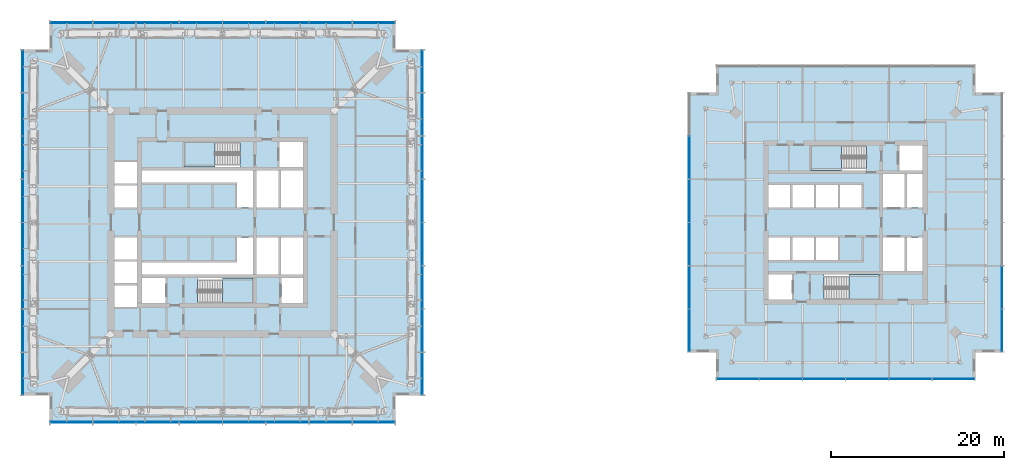
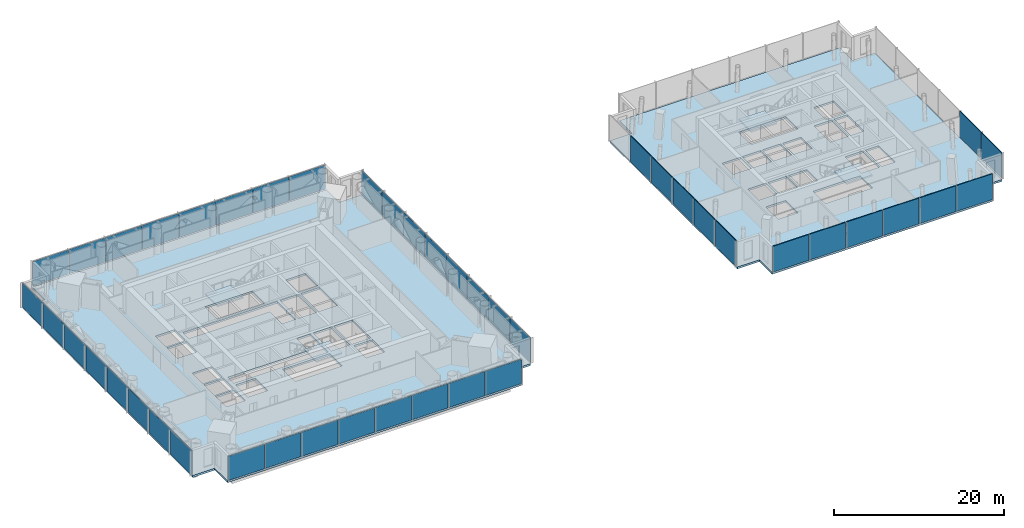
# One storey, part 8 of 18: 45 plates, 6 slabs, 11 elements without a shape of their own.
"""IFC4 building model written with IfcOpenShell, lengths in metres."""

from ifc_helpers import new_model, si_unit, direction, frame, origin, origin_2d, place, context, subcontext, project, spatial, polyline, rectangle, outline, extrude, material, layer, layer_set, type_object, element, aggregate, save


model = new_model("IFC4")

# Units and contexts
model_context = context("Model", 3, precision=1e-05, world=origin(), true_north=direction((0.0, 1.0)))
body_context = subcontext(model_context, "Body", "Model", "MODEL_VIEW")
ifc_project = project(units=[si_unit("LENGTHUNIT", "METRE"), si_unit("AREAUNIT", "SQUARE_METRE"), si_unit("VOLUMEUNIT", "CUBIC_METRE"), si_unit("PLANEANGLEUNIT", "RADIAN"), si_unit("MASSUNIT", "GRAM", prefix="KILO")], contexts=[model_context])

# Site, building, storey
site_placement = place(None, origin())
site = spatial("IfcSite", under=ifc_project, at=site_placement, CompositionType="ELEMENT")
building_placement = place(site_placement, origin())
building = spatial("IfcBuilding", under=site, at=building_placement, Name="Ostroluk Exchange", CompositionType="ELEMENT")
storey_placement = place(building_placement, frame((0.0, 0.0, 85.60009765625)))
storey = spatial("IfcBuildingStorey", under=building, at=storey_placement, Name="L21", CompositionType="ELEMENT", Elevation=85.60009765625)

# Curtain wall, plates
ifc_material_1 = material(Name="Laminated clear glass", Category="glass")
curtain_wall_type_1 = type_object("IfcCurtainWallType", Name="Office tower plant and sky lobby facade", PredefinedType="USERDEFINED", material=ifc_material_1)
curtain_wall_1_placement = place(storey_placement, origin())
curtain_wall_1 = element("IfcCurtainWall", 1, at=curtain_wall_1_placement, inside=storey, type_object=curtain_wall_type_1, Name="Office tower south facade L21", ObjectType="LOUVRED CURTAIN WALL", PredefinedType="USERDEFINED")
ifc_material_2 = material(Name="Aluminium louvre", Category="aluminium")
ifc_layer_1 = layer(ifc_material_2, 0.10009765625)
ifc_layer_set_1 = layer_set([ifc_layer_1], Name="Aluminium louvre panel 100")
plate_type = type_object("IfcPlateType", Name="Aluminium louvre panel 100", PredefinedType="USERDEFINED", material=ifc_layer_set_1)
plate_1_placement = place(storey_placement, frame((27.52001953125, 22.925048828125, 0.080078125), z_axis=(0.0, 0.0, 1.0), x_axis=(1.0, 0.0, 0.0)))
plate_1 = element("IfcPlate", 2, at=plate_1_placement, type_object=plate_type, Name="CW-P1 panel 1.1", ObjectType="LOUVRE PANEL", PredefinedType="USERDEFINED", context=body_context, shape_type="SweptSolid", body=[
    extrude(rectangle(XDim=4.8798828125, YDim=0.10009765625, at=origin_2d()), origin(), (0.0, 0.0, 1.0), 3.489990234375),
])
plate_2_placement = place(storey_placement, frame((32.5, 22.925048828125, 0.080078125), z_axis=(0.0, 0.0, 1.0), x_axis=(1.0, 0.0, 0.0)))
plate_2 = element("IfcPlate", 3, at=plate_2_placement, type_object=plate_type, Name="CW-P1 panel 2.1", ObjectType="LOUVRE PANEL", PredefinedType="USERDEFINED", context=body_context, shape_type="SweptSolid", body=[
    extrude(rectangle(XDim=4.919921875, YDim=0.10009765625, at=origin_2d()), origin(), (0.0, 0.0, 1.0), 3.489990234375),
])
plate_3_placement = place(storey_placement, frame((37.5, 22.925048828125, 0.080078125), z_axis=(0.0, 0.0, 1.0), x_axis=(1.0, 0.0, 0.0)))
plate_3 = element("IfcPlate", 4, at=plate_3_placement, type_object=plate_type, Name="CW-P1 panel 3.1", ObjectType="LOUVRE PANEL", PredefinedType="USERDEFINED", context=body_context, shape_type="SweptSolid", body=[
    extrude(rectangle(XDim=4.919921875, YDim=0.10009765625, at=origin_2d()), origin(), (0.0, 0.0, 1.0), 3.489990234375),
])
plate_4_placement = place(storey_placement, frame((42.5, 22.925048828125, 0.080078125), z_axis=(0.0, 0.0, 1.0), x_axis=(1.0, 0.0, 0.0)))
plate_4 = element("IfcPlate", 5, at=plate_4_placement, type_object=plate_type, Name="CW-P1 panel 4.1", ObjectType="LOUVRE PANEL", PredefinedType="USERDEFINED", context=body_context, shape_type="SweptSolid", body=[
    extrude(rectangle(XDim=4.919921875, YDim=0.10009765625, at=origin_2d()), origin(), (0.0, 0.0, 1.0), 3.489990234375),
])
plate_5_placement = place(storey_placement, frame((47.5, 22.925048828125, 0.080078125), z_axis=(0.0, 0.0, 1.0), x_axis=(1.0, 0.0, 0.0)))
plate_5 = element("IfcPlate", 6, at=plate_5_placement, type_object=plate_type, Name="CW-P1 panel 5.1", ObjectType="LOUVRE PANEL", PredefinedType="USERDEFINED", context=body_context, shape_type="SweptSolid", body=[
    extrude(rectangle(XDim=4.919921875, YDim=0.10009765625, at=origin_2d()), origin(), (0.0, 0.0, 1.0), 3.489990234375),
])
plate_6_placement = place(storey_placement, frame((52.5, 22.925048828125, 0.080078125), z_axis=(0.0, 0.0, 1.0), x_axis=(1.0, 0.0, 0.0)))
plate_6 = element("IfcPlate", 7, at=plate_6_placement, type_object=plate_type, Name="CW-P1 panel 6.1", ObjectType="LOUVRE PANEL", PredefinedType="USERDEFINED", context=body_context, shape_type="SweptSolid", body=[
    extrude(rectangle(XDim=4.919921875, YDim=0.10009765625, at=origin_2d()), origin(), (0.0, 0.0, 1.0), 3.489990234375),
])
plate_7_placement = place(storey_placement, frame((57.5, 22.925048828125, 0.080078125), z_axis=(0.0, 0.0, 1.0), x_axis=(1.0, 0.0, 0.0)))
plate_7 = element("IfcPlate", 8, at=plate_7_placement, type_object=plate_type, Name="CW-P1 panel 7.1", ObjectType="LOUVRE PANEL", PredefinedType="USERDEFINED", context=body_context, shape_type="SweptSolid", body=[
    extrude(rectangle(XDim=4.919921875, YDim=0.10009765625, at=origin_2d()), origin(), (0.0, 0.0, 1.0), 3.489990234375),
])
plate_8_placement = place(storey_placement, frame((62.47998046875, 22.925048828125, 0.080078125), z_axis=(0.0, 0.0, 1.0), x_axis=(1.0, 0.0, 0.0)))
plate_8 = element("IfcPlate", 9, at=plate_8_placement, type_object=plate_type, Name="CW-P1 panel 8.1", ObjectType="LOUVRE PANEL", PredefinedType="USERDEFINED", context=body_context, shape_type="SweptSolid", body=[
    extrude(rectangle(XDim=4.8798828125, YDim=0.10009765625, at=origin_2d()), origin(), (0.0, 0.0, 1.0), 3.489990234375),
])
aggregate(curtain_wall_1, [plate_1, plate_2, plate_3, plate_4, plate_5, plate_6, plate_7, plate_8])

curtain_wall_2_placement = place(storey_placement, origin())
curtain_wall_2 = element("IfcCurtainWall", 10, at=curtain_wall_2_placement, inside=storey, type_object=curtain_wall_type_1, Name="Office tower east facade L21", ObjectType="LOUVRED CURTAIN WALL", PredefinedType="USERDEFINED")
plate_9_placement = place(storey_placement, frame((68.074951171875, 28.52001953125, 0.080078125), z_axis=(0.0, 0.0, 1.0), x_axis=(0.0, 1.0, 0.0)))
plate_9 = element("IfcPlate", 11, at=plate_9_placement, type_object=plate_type, Name="CW-P1 panel 1.1", ObjectType="LOUVRE PANEL", PredefinedType="USERDEFINED", context=body_context, shape_type="SweptSolid", body=[
    extrude(rectangle(XDim=4.8798828125, YDim=0.10009765625, at=origin_2d()), origin(), (0.0, 0.0, 1.0), 3.489990234375),
])
plate_10_placement = place(storey_placement, frame((68.074951171875, 33.5, 0.080078125), z_axis=(0.0, 0.0, 1.0), x_axis=(0.0, 1.0, 0.0)))
plate_10 = element("IfcPlate", 12, at=plate_10_placement, type_object=plate_type, Name="CW-P1 panel 2.1", ObjectType="LOUVRE PANEL", PredefinedType="USERDEFINED", context=body_context, shape_type="SweptSolid", body=[
    extrude(rectangle(XDim=4.919921875, YDim=0.10009765625, at=origin_2d()), origin(), (0.0, 0.0, 1.0), 3.489990234375),
])
plate_11_placement = place(storey_placement, frame((68.074951171875, 38.5, 0.080078125), z_axis=(0.0, 0.0, 1.0), x_axis=(0.0, 1.0, 0.0)))
plate_11 = element("IfcPlate", 13, at=plate_11_placement, type_object=plate_type, Name="CW-P1 panel 3.1", ObjectType="LOUVRE PANEL", PredefinedType="USERDEFINED", context=body_context, shape_type="SweptSolid", body=[
    extrude(rectangle(XDim=4.919921875, YDim=0.10009765625, at=origin_2d()), origin(), (0.0, 0.0, 1.0), 3.489990234375),
])
plate_12_placement = place(storey_placement, frame((68.074951171875, 43.5, 0.080078125), z_axis=(0.0, 0.0, 1.0), x_axis=(0.0, 1.0, 0.0)))
plate_12 = element("IfcPlate", 14, at=plate_12_placement, type_object=plate_type, Name="CW-P1 panel 4.1", ObjectType="LOUVRE PANEL", PredefinedType="USERDEFINED", context=body_context, shape_type="SweptSolid", body=[
    extrude(rectangle(XDim=4.919921875, YDim=0.10009765625, at=origin_2d()), origin(), (0.0, 0.0, 1.0), 3.489990234375),
])
plate_13_placement = place(storey_placement, frame((68.074951171875, 48.5, 0.080078125), z_axis=(0.0, 0.0, 1.0), x_axis=(0.0, 1.0, 0.0)))
plate_13 = element("IfcPlate", 15, at=plate_13_placement, type_object=plate_type, Name="CW-P1 panel 5.1", ObjectType="LOUVRE PANEL", PredefinedType="USERDEFINED", context=body_context, shape_type="SweptSolid", body=[
    extrude(rectangle(XDim=4.919921875, YDim=0.10009765625, at=origin_2d()), origin(), (0.0, 0.0, 1.0), 3.489990234375),
])
plate_14_placement = place(storey_placement, frame((68.074951171875, 53.5, 0.080078125), z_axis=(0.0, 0.0, 1.0), x_axis=(0.0, 1.0, 0.0)))
plate_14 = element("IfcPlate", 16, at=plate_14_placement, type_object=plate_type, Name="CW-P1 panel 6.1", ObjectType="LOUVRE PANEL", PredefinedType="USERDEFINED", context=body_context, shape_type="SweptSolid", body=[
    extrude(rectangle(XDim=4.919921875, YDim=0.10009765625, at=origin_2d()), origin(), (0.0, 0.0, 1.0), 3.489990234375),
])
plate_15_placement = place(storey_placement, frame((68.074951171875, 58.5, 0.080078125), z_axis=(0.0, 0.0, 1.0), x_axis=(0.0, 1.0, 0.0)))
plate_15 = element("IfcPlate", 17, at=plate_15_placement, type_object=plate_type, Name="CW-P1 panel 7.1", ObjectType="LOUVRE PANEL", PredefinedType="USERDEFINED", context=body_context, shape_type="SweptSolid", body=[
    extrude(rectangle(XDim=4.919921875, YDim=0.10009765625, at=origin_2d()), origin(), (0.0, 0.0, 1.0), 3.489990234375),
])
plate_16_placement = place(storey_placement, frame((68.074951171875, 63.47998046875, 0.080078125), z_axis=(0.0, 0.0, 1.0), x_axis=(0.0, 1.0, 0.0)))
plate_16 = element("IfcPlate", 18, at=plate_16_placement, type_object=plate_type, Name="CW-P1 panel 8.1", ObjectType="LOUVRE PANEL", PredefinedType="USERDEFINED", context=body_context, shape_type="SweptSolid", body=[
    extrude(rectangle(XDim=4.8798828125, YDim=0.10009765625, at=origin_2d()), origin(), (0.0, 0.0, 1.0), 3.489990234375),
])
aggregate(curtain_wall_2, [plate_9, plate_10, plate_11, plate_12, plate_13, plate_14, plate_15, plate_16])

curtain_wall_3_placement = place(storey_placement, origin())
curtain_wall_3 = element("IfcCurtainWall", 19, at=curtain_wall_3_placement, inside=storey, type_object=curtain_wall_type_1, Name="Office tower north facade L21", ObjectType="LOUVRED CURTAIN WALL", PredefinedType="USERDEFINED")
plate_17_placement = place(storey_placement, frame((62.47998046875, 69.074951171875, 0.080078125), z_axis=(0.0, 0.0, 1.0), x_axis=(-1.0, 0.0, 0.0)))
plate_17 = element("IfcPlate", 20, at=plate_17_placement, type_object=plate_type, Name="CW-P1 panel 1.1", ObjectType="LOUVRE PANEL", PredefinedType="USERDEFINED", context=body_context, shape_type="SweptSolid", body=[
    extrude(rectangle(XDim=4.8798828125, YDim=0.10009765625, at=origin_2d()), origin(), (0.0, 0.0, 1.0), 3.489990234375),
])
plate_18_placement = place(storey_placement, frame((57.5, 69.074951171875, 0.080078125), z_axis=(0.0, 0.0, 1.0), x_axis=(-1.0, 0.0, 0.0)))
plate_18 = element("IfcPlate", 21, at=plate_18_placement, type_object=plate_type, Name="CW-P1 panel 2.1", ObjectType="LOUVRE PANEL", PredefinedType="USERDEFINED", context=body_context, shape_type="SweptSolid", body=[
    extrude(rectangle(XDim=4.919921875, YDim=0.10009765625, at=origin_2d()), origin(), (0.0, 0.0, 1.0), 3.489990234375),
])
plate_19_placement = place(storey_placement, frame((52.5, 69.074951171875, 0.080078125), z_axis=(0.0, 0.0, 1.0), x_axis=(-1.0, 0.0, 0.0)))
plate_19 = element("IfcPlate", 22, at=plate_19_placement, type_object=plate_type, Name="CW-P1 panel 3.1", ObjectType="LOUVRE PANEL", PredefinedType="USERDEFINED", context=body_context, shape_type="SweptSolid", body=[
    extrude(rectangle(XDim=4.919921875, YDim=0.10009765625, at=origin_2d()), origin(), (0.0, 0.0, 1.0), 3.489990234375),
])
plate_20_placement = place(storey_placement, frame((47.5, 69.074951171875, 0.080078125), z_axis=(0.0, 0.0, 1.0), x_axis=(-1.0, 0.0, 0.0)))
plate_20 = element("IfcPlate", 23, at=plate_20_placement, type_object=plate_type, Name="CW-P1 panel 4.1", ObjectType="LOUVRE PANEL", PredefinedType="USERDEFINED", context=body_context, shape_type="SweptSolid", body=[
    extrude(rectangle(XDim=4.919921875, YDim=0.10009765625, at=origin_2d()), origin(), (0.0, 0.0, 1.0), 3.489990234375),
])
plate_21_placement = place(storey_placement, frame((42.5, 69.074951171875, 0.080078125), z_axis=(0.0, 0.0, 1.0), x_axis=(-1.0, 0.0, 0.0)))
plate_21 = element("IfcPlate", 24, at=plate_21_placement, type_object=plate_type, Name="CW-P1 panel 5.1", ObjectType="LOUVRE PANEL", PredefinedType="USERDEFINED", context=body_context, shape_type="SweptSolid", body=[
    extrude(rectangle(XDim=4.919921875, YDim=0.10009765625, at=origin_2d()), origin(), (0.0, 0.0, 1.0), 3.489990234375),
])
plate_22_placement = place(storey_placement, frame((37.5, 69.074951171875, 0.080078125), z_axis=(0.0, 0.0, 1.0), x_axis=(-1.0, 0.0, 0.0)))
plate_22 = element("IfcPlate", 25, at=plate_22_placement, type_object=plate_type, Name="CW-P1 panel 6.1", ObjectType="LOUVRE PANEL", PredefinedType="USERDEFINED", context=body_context, shape_type="SweptSolid", body=[
    extrude(rectangle(XDim=4.919921875, YDim=0.10009765625, at=origin_2d()), origin(), (0.0, 0.0, 1.0), 3.489990234375),
])
plate_23_placement = place(storey_placement, frame((32.5, 69.074951171875, 0.080078125), z_axis=(0.0, 0.0, 1.0), x_axis=(-1.0, 0.0, 0.0)))
plate_23 = element("IfcPlate", 26, at=plate_23_placement, type_object=plate_type, Name="CW-P1 panel 7.1", ObjectType="LOUVRE PANEL", PredefinedType="USERDEFINED", context=body_context, shape_type="SweptSolid", body=[
    extrude(rectangle(XDim=4.919921875, YDim=0.10009765625, at=origin_2d()), origin(), (0.0, 0.0, 1.0), 3.489990234375),
])
plate_24_placement = place(storey_placement, frame((27.52001953125, 69.074951171875, 0.080078125), z_axis=(0.0, 0.0, 1.0), x_axis=(-1.0, 0.0, 0.0)))
plate_24 = element("IfcPlate", 27, at=plate_24_placement, type_object=plate_type, Name="CW-P1 panel 8.1", ObjectType="LOUVRE PANEL", PredefinedType="USERDEFINED", context=body_context, shape_type="SweptSolid", body=[
    extrude(rectangle(XDim=4.8798828125, YDim=0.10009765625, at=origin_2d()), origin(), (0.0, 0.0, 1.0), 3.489990234375),
])
aggregate(curtain_wall_3, [plate_17, plate_18, plate_19, plate_20, plate_21, plate_22, plate_23, plate_24])

curtain_wall_4_placement = place(storey_placement, origin())
curtain_wall_4 = element("IfcCurtainWall", 28, at=curtain_wall_4_placement, inside=storey, type_object=curtain_wall_type_1, Name="Office tower west facade L21", ObjectType="LOUVRED CURTAIN WALL", PredefinedType="USERDEFINED")
plate_25_placement = place(storey_placement, frame((21.925048828125, 63.47998046875, 0.080078125), z_axis=(0.0, 0.0, 1.0), x_axis=(0.0, -1.0, 0.0)))
plate_25 = element("IfcPlate", 29, at=plate_25_placement, type_object=plate_type, Name="CW-P1 panel 1.1", ObjectType="LOUVRE PANEL", PredefinedType="USERDEFINED", context=body_context, shape_type="SweptSolid", body=[
    extrude(rectangle(XDim=4.8798828125, YDim=0.10009765625, at=origin_2d()), origin(), (0.0, 0.0, 1.0), 3.489990234375),
])
plate_26_placement = place(storey_placement, frame((21.925048828125, 58.5, 0.080078125), z_axis=(0.0, 0.0, 1.0), x_axis=(0.0, -1.0, 0.0)))
plate_26 = element("IfcPlate", 30, at=plate_26_placement, type_object=plate_type, Name="CW-P1 panel 2.1", ObjectType="LOUVRE PANEL", PredefinedType="USERDEFINED", context=body_context, shape_type="SweptSolid", body=[
    extrude(rectangle(XDim=4.919921875, YDim=0.10009765625, at=origin_2d()), origin(), (0.0, 0.0, 1.0), 3.489990234375),
])
plate_27_placement = place(storey_placement, frame((21.925048828125, 53.5, 0.080078125), z_axis=(0.0, 0.0, 1.0), x_axis=(0.0, -1.0, 0.0)))
plate_27 = element("IfcPlate", 31, at=plate_27_placement, type_object=plate_type, Name="CW-P1 panel 3.1", ObjectType="LOUVRE PANEL", PredefinedType="USERDEFINED", context=body_context, shape_type="SweptSolid", body=[
    extrude(rectangle(XDim=4.919921875, YDim=0.10009765625, at=origin_2d()), origin(), (0.0, 0.0, 1.0), 3.489990234375),
])
plate_28_placement = place(storey_placement, frame((21.925048828125, 48.5, 0.080078125), z_axis=(0.0, 0.0, 1.0), x_axis=(0.0, -1.0, 0.0)))
plate_28 = element("IfcPlate", 32, at=plate_28_placement, type_object=plate_type, Name="CW-P1 panel 4.1", ObjectType="LOUVRE PANEL", PredefinedType="USERDEFINED", context=body_context, shape_type="SweptSolid", body=[
    extrude(rectangle(XDim=4.919921875, YDim=0.10009765625, at=origin_2d()), origin(), (0.0, 0.0, 1.0), 3.489990234375),
])
plate_29_placement = place(storey_placement, frame((21.925048828125, 43.5, 0.080078125), z_axis=(0.0, 0.0, 1.0), x_axis=(0.0, -1.0, 0.0)))
plate_29 = element("IfcPlate", 33, at=plate_29_placement, type_object=plate_type, Name="CW-P1 panel 5.1", ObjectType="LOUVRE PANEL", PredefinedType="USERDEFINED", context=body_context, shape_type="SweptSolid", body=[
    extrude(rectangle(XDim=4.919921875, YDim=0.10009765625, at=origin_2d()), origin(), (0.0, 0.0, 1.0), 3.489990234375),
])
plate_30_placement = place(storey_placement, frame((21.925048828125, 38.5, 0.080078125), z_axis=(0.0, 0.0, 1.0), x_axis=(0.0, -1.0, 0.0)))
plate_30 = element("IfcPlate", 34, at=plate_30_placement, type_object=plate_type, Name="CW-P1 panel 6.1", ObjectType="LOUVRE PANEL", PredefinedType="USERDEFINED", context=body_context, shape_type="SweptSolid", body=[
    extrude(rectangle(XDim=4.919921875, YDim=0.10009765625, at=origin_2d()), origin(), (0.0, 0.0, 1.0), 3.489990234375),
])
plate_31_placement = place(storey_placement, frame((21.925048828125, 33.5, 0.080078125), z_axis=(0.0, 0.0, 1.0), x_axis=(0.0, -1.0, 0.0)))
plate_31 = element("IfcPlate", 35, at=plate_31_placement, type_object=plate_type, Name="CW-P1 panel 7.1", ObjectType="LOUVRE PANEL", PredefinedType="USERDEFINED", context=body_context, shape_type="SweptSolid", body=[
    extrude(rectangle(XDim=4.919921875, YDim=0.10009765625, at=origin_2d()), origin(), (0.0, 0.0, 1.0), 3.489990234375),
])
plate_32_placement = place(storey_placement, frame((21.925048828125, 28.52001953125, 0.080078125), z_axis=(0.0, 0.0, 1.0), x_axis=(0.0, -1.0, 0.0)))
plate_32 = element("IfcPlate", 36, at=plate_32_placement, type_object=plate_type, Name="CW-P1 panel 8.1", ObjectType="LOUVRE PANEL", PredefinedType="USERDEFINED", context=body_context, shape_type="SweptSolid", body=[
    extrude(rectangle(XDim=4.8798828125, YDim=0.10009765625, at=origin_2d()), origin(), (0.0, 0.0, 1.0), 3.489990234375),
])
aggregate(curtain_wall_4, [plate_25, plate_26, plate_27, plate_28, plate_29, plate_30, plate_31, plate_32])

ifc_material_3 = material(Name="Laminated clear glass", Category="glass")
curtain_wall_type_2 = type_object("IfcCurtainWallType", Name="Hotel amenity and plant facade", PredefinedType="USERDEFINED", material=ifc_material_3)
curtain_wall_5_placement = place(storey_placement, origin())
curtain_wall_5 = element("IfcCurtainWall", 37, at=curtain_wall_5_placement, inside=storey, type_object=curtain_wall_type_2, Name="Hotel tower south facade L21", ObjectType="LOUVRED CURTAIN WALL", PredefinedType="USERDEFINED")
plate_33_placement = place(storey_placement, frame((104.52001953125, 27.925048828125, 0.080078125), z_axis=(0.0, 0.0, 1.0), x_axis=(1.0, 0.0, 0.0)))
plate_33 = element("IfcPlate", 38, at=plate_33_placement, type_object=plate_type, Name="CW-H2 panel 1.1", ObjectType="LOUVRE PANEL", PredefinedType="USERDEFINED", context=body_context, shape_type="SweptSolid", body=[
    extrude(rectangle(XDim=4.8798828125, YDim=0.10009765625, at=origin_2d()), origin(), (0.0, 0.0, 1.0), 3.719970703125),
])
plate_34_placement = place(storey_placement, frame((109.5, 27.925048828125, 0.080078125), z_axis=(0.0, 0.0, 1.0), x_axis=(1.0, 0.0, 0.0)))
plate_34 = element("IfcPlate", 39, at=plate_34_placement, type_object=plate_type, Name="CW-H2 panel 2.1", ObjectType="LOUVRE PANEL", PredefinedType="USERDEFINED", context=body_context, shape_type="SweptSolid", body=[
    extrude(rectangle(XDim=4.919921875, YDim=0.10009765625, at=origin_2d()), origin(), (0.0, 0.0, 1.0), 3.719970703125),
])
plate_35_placement = place(storey_placement, frame((114.5, 27.925048828125, 0.080078125), z_axis=(0.0, 0.0, 1.0), x_axis=(1.0, 0.0, 0.0)))
plate_35 = element("IfcPlate", 40, at=plate_35_placement, type_object=plate_type, Name="CW-H2 panel 3.1", ObjectType="LOUVRE PANEL", PredefinedType="USERDEFINED", context=body_context, shape_type="SweptSolid", body=[
    extrude(rectangle(XDim=4.919921875, YDim=0.10009765625, at=origin_2d()), origin(), (0.0, 0.0, 1.0), 3.719970703125),
])
plate_36_placement = place(storey_placement, frame((119.5, 27.925048828125, 0.080078125), z_axis=(0.0, 0.0, 1.0), x_axis=(1.0, 0.0, 0.0)))
plate_36 = element("IfcPlate", 41, at=plate_36_placement, type_object=plate_type, Name="CW-H2 panel 4.1", ObjectType="LOUVRE PANEL", PredefinedType="USERDEFINED", context=body_context, shape_type="SweptSolid", body=[
    extrude(rectangle(XDim=4.919921875, YDim=0.10009765625, at=origin_2d()), origin(), (0.0, 0.0, 1.0), 3.719970703125),
])
plate_37_placement = place(storey_placement, frame((124.5, 27.925048828125, 0.080078125), z_axis=(0.0, 0.0, 1.0), x_axis=(1.0, 0.0, 0.0)))
plate_37 = element("IfcPlate", 42, at=plate_37_placement, type_object=plate_type, Name="CW-H2 panel 5.1", ObjectType="LOUVRE PANEL", PredefinedType="USERDEFINED", context=body_context, shape_type="SweptSolid", body=[
    extrude(rectangle(XDim=4.919921875, YDim=0.10009765625, at=origin_2d()), origin(), (0.0, 0.0, 1.0), 3.719970703125),
])
plate_38_placement = place(storey_placement, frame((129.47998046875, 27.925048828125, 0.080078125), z_axis=(0.0, 0.0, 1.0), x_axis=(1.0, 0.0, 0.0)))
plate_38 = element("IfcPlate", 43, at=plate_38_placement, type_object=plate_type, Name="CW-H2 panel 6.1", ObjectType="LOUVRE PANEL", PredefinedType="USERDEFINED", context=body_context, shape_type="SweptSolid", body=[
    extrude(rectangle(XDim=4.8798828125, YDim=0.10009765625, at=origin_2d()), origin(), (0.0, 0.0, 1.0), 3.719970703125),
])
aggregate(curtain_wall_5, [plate_33, plate_34, plate_35, plate_36, plate_37, plate_38])

curtain_wall_6_placement = place(storey_placement, origin())
curtain_wall_6 = element("IfcCurtainWall", 44, at=curtain_wall_6_placement, inside=storey, type_object=curtain_wall_type_2, Name="Hotel tower east facade L21", ObjectType="LOUVRED CURTAIN WALL", PredefinedType="USERDEFINED")
plate_39_placement = place(storey_placement, frame((135.074951171875, 33.52001953125, 0.080078125), z_axis=(0.0, 0.0, 1.0), x_axis=(0.0, 1.0, 0.0)))
plate_39 = element("IfcPlate", 45, at=plate_39_placement, type_object=plate_type, Name="CW-H2 panel 1.1", ObjectType="LOUVRE PANEL", PredefinedType="USERDEFINED", context=body_context, shape_type="SweptSolid", body=[
    extrude(rectangle(XDim=4.8798828125, YDim=0.10009765625, at=origin_2d()), origin(), (0.0, 0.0, 1.0), 3.719970703125),
])
plate_40_placement = place(storey_placement, frame((135.074951171875, 38.5, 0.080078125), z_axis=(0.0, 0.0, 1.0), x_axis=(0.0, 1.0, 0.0)))
plate_40 = element("IfcPlate", 46, at=plate_40_placement, type_object=plate_type, Name="CW-H2 panel 2.1", ObjectType="LOUVRE PANEL", PredefinedType="USERDEFINED", context=body_context, shape_type="SweptSolid", body=[
    extrude(rectangle(XDim=4.919921875, YDim=0.10009765625, at=origin_2d()), origin(), (0.0, 0.0, 1.0), 3.719970703125),
])
aggregate(curtain_wall_6, [plate_39, plate_40])

curtain_wall_7_placement = place(storey_placement, origin())
curtain_wall_7 = element("IfcCurtainWall", 47, at=curtain_wall_7_placement, inside=storey, type_object=curtain_wall_type_2, Name="Hotel tower west facade L21", ObjectType="LOUVRED CURTAIN WALL", PredefinedType="USERDEFINED")
plate_41_placement = place(storey_placement, frame((98.925048828125, 53.5, 0.080078125), z_axis=(0.0, 0.0, 1.0), x_axis=(0.0, -1.0, 0.0)))
plate_41 = element("IfcPlate", 48, at=plate_41_placement, type_object=plate_type, Name="CW-H2 panel 2.1", ObjectType="LOUVRE PANEL", PredefinedType="USERDEFINED", context=body_context, shape_type="SweptSolid", body=[
    extrude(rectangle(XDim=4.919921875, YDim=0.10009765625, at=origin_2d()), origin(), (0.0, 0.0, 1.0), 3.719970703125),
])
plate_42_placement = place(storey_placement, frame((98.925048828125, 48.5, 0.080078125), z_axis=(0.0, 0.0, 1.0), x_axis=(0.0, -1.0, 0.0)))
plate_42 = element("IfcPlate", 49, at=plate_42_placement, type_object=plate_type, Name="CW-H2 panel 3.1", ObjectType="LOUVRE PANEL", PredefinedType="USERDEFINED", context=body_context, shape_type="SweptSolid", body=[
    extrude(rectangle(XDim=4.919921875, YDim=0.10009765625, at=origin_2d()), origin(), (0.0, 0.0, 1.0), 3.719970703125),
])
plate_43_placement = place(storey_placement, frame((98.925048828125, 43.5, 0.080078125), z_axis=(0.0, 0.0, 1.0), x_axis=(0.0, -1.0, 0.0)))
plate_43 = element("IfcPlate", 50, at=plate_43_placement, type_object=plate_type, Name="CW-H2 panel 4.1", ObjectType="LOUVRE PANEL", PredefinedType="USERDEFINED", context=body_context, shape_type="SweptSolid", body=[
    extrude(rectangle(XDim=4.919921875, YDim=0.10009765625, at=origin_2d()), origin(), (0.0, 0.0, 1.0), 3.719970703125),
])
plate_44_placement = place(storey_placement, frame((98.925048828125, 38.5, 0.080078125), z_axis=(0.0, 0.0, 1.0), x_axis=(0.0, -1.0, 0.0)))
plate_44 = element("IfcPlate", 51, at=plate_44_placement, type_object=plate_type, Name="CW-H2 panel 5.1", ObjectType="LOUVRE PANEL", PredefinedType="USERDEFINED", context=body_context, shape_type="SweptSolid", body=[
    extrude(rectangle(XDim=4.919921875, YDim=0.10009765625, at=origin_2d()), origin(), (0.0, 0.0, 1.0), 3.719970703125),
])
plate_45_placement = place(storey_placement, frame((98.925048828125, 33.52001953125, 0.080078125), z_axis=(0.0, 0.0, 1.0), x_axis=(0.0, -1.0, 0.0)))
plate_45 = element("IfcPlate", 52, at=plate_45_placement, type_object=plate_type, Name="CW-H2 panel 6.1", ObjectType="LOUVRE PANEL", PredefinedType="USERDEFINED", context=body_context, shape_type="SweptSolid", body=[
    extrude(rectangle(XDim=4.8798828125, YDim=0.10009765625, at=origin_2d()), origin(), (0.0, 0.0, 1.0), 3.719970703125),
])
aggregate(curtain_wall_7, [plate_41, plate_42, plate_43, plate_44, plate_45])

# Stair, slab
ifc_material_4 = material(Name="Concrete C30/37", Category="concrete")
stair_type = type_object("IfcStairType", Name="Exit stair half turn 3800", PredefinedType="HALF_TURN_STAIR", material=ifc_material_4)
stair_1_placement = place(storey_placement, origin())
stair_1 = element("IfcStair", 53, at=stair_1_placement, inside=storey, type_object=stair_type, Name="Stair T1-S1 L21", PredefinedType="HALF_TURN_STAIR")
ifc_material_5 = material(Name="Concrete C30/37", Category="concrete")
ifc_layer_2 = layer(ifc_material_5, 0.199951171875)
ifc_layer_set_2 = layer_set([ifc_layer_2], Name="Stair landing 200")
slab_type_1 = type_object("IfcSlabType", Name="Stair landing 200", PredefinedType="LANDING", material=ifc_layer_set_2)
slab_1_placement = place(storey_placement, frame((0.0, 0.0, 1.699951171875)))
slab_1 = element("IfcSlab", 54, at=slab_1_placement, type_object=slab_type_1, Name="T1-S1 landing 1", PredefinedType="LANDING", context=body_context, shape_type="SweptSolid", body=[
    extrude(outline(polyline([(45.0, 36.699951171875), (45.0, 39.60009765625), (48.530029296875, 39.60009765625), (48.530029296875, 36.699951171875), (45.0, 36.699951171875)])), origin(), (0.0, 0.0, 1.0), 0.199951171875),
])
aggregate(stair_1, [slab_1])

stair_2_placement = place(storey_placement, origin())
stair_2 = element("IfcStair", 55, at=stair_2_placement, inside=storey, type_object=stair_type, Name="Stair T1-S2 L21", PredefinedType="HALF_TURN_STAIR")
slab_2_placement = place(storey_placement, frame((0.0, 0.0, 1.699951171875)))
slab_2 = element("IfcSlab", 56, at=slab_2_placement, type_object=slab_type_1, Name="T1-S2 landing 1", PredefinedType="LANDING", context=body_context, shape_type="SweptSolid", body=[
    extrude(outline(polyline([(44.1298828125, 52.39990234375), (44.1298828125, 55.300048828125), (40.60009765625, 55.300048828125), (40.60009765625, 52.39990234375), (44.1298828125, 52.39990234375)])), origin(), (0.0, 0.0, 1.0), 0.199951171875),
])
aggregate(stair_2, [slab_2])

stair_3_placement = place(storey_placement, origin())
stair_3 = element("IfcStair", 57, at=stair_3_placement, inside=storey, type_object=stair_type, Name="Stair T2-S1 L21", PredefinedType="HALF_TURN_STAIR")
slab_3_placement = place(storey_placement, frame((0.0, 0.0, 1.699951171875)))
slab_3 = element("IfcSlab", 58, at=slab_3_placement, type_object=slab_type_1, Name="T2-S1 landing 1", PredefinedType="LANDING", context=body_context, shape_type="SweptSolid", body=[
    extrude(outline(polyline([(117.39990234375, 37.10009765625), (117.39990234375, 40.0), (120.929931640625, 40.0), (120.929931640625, 37.10009765625), (117.39990234375, 37.10009765625)])), origin(), (0.0, 0.0, 1.0), 0.199951171875),
])
aggregate(stair_3, [slab_3])

stair_4_placement = place(storey_placement, origin())
stair_4 = element("IfcStair", 59, at=stair_4_placement, inside=storey, type_object=stair_type, Name="Stair T2-S2 L21", PredefinedType="HALF_TURN_STAIR")
slab_4_placement = place(storey_placement, frame((0.0, 0.0, 1.699951171875)))
slab_4 = element("IfcSlab", 60, at=slab_4_placement, type_object=slab_type_1, Name="T2-S2 landing 1", PredefinedType="LANDING", context=body_context, shape_type="SweptSolid", body=[
    extrude(outline(polyline([(116.530029296875, 52.0), (116.530029296875, 54.89990234375), (113.0, 54.89990234375), (113.0, 52.0), (116.530029296875, 52.0)])), origin(), (0.0, 0.0, 1.0), 0.199951171875),
])
aggregate(stair_4, [slab_4])

# Slabs
ifc_material_6 = material(Name="Concrete C35/45", Category="concrete")
ifc_layer_3 = layer(ifc_material_6, 0.280029296875)
ifc_layer_set_3 = layer_set([ifc_layer_3], Name="Tower floor slab 280")
slab_type_2 = type_object("IfcSlabType", Name="Tower floor slab 280", PredefinedType="FLOOR", material=ifc_layer_set_3)
slab_5_placement = place(storey_placement, frame((0.0, 0.0, -0.280029296875)))
element("IfcSlab", 61, at=slab_5_placement, inside=storey, type_object=slab_type_2, Name="Office tower floor slab L21", PredefinedType="FLOOR", context=body_context, shape_type="SweptSolid", body=[
    extrude(outline(polyline([(25.0, 23.0), (65.0, 23.0), (65.0, 26.0), (68.0, 26.0), (68.0, 66.0), (65.0, 66.0), (65.0, 69.0), (25.0, 69.0), (25.0, 66.0), (22.0, 66.0), (22.0, 26.0), (25.0, 26.0), (25.0, 23.0)]), holes=[polyline([(35.699951171875, 36.699951171875), (38.39990234375, 36.699951171875), (38.39990234375, 39.60009765625), (35.699951171875, 39.60009765625), (35.699951171875, 36.699951171875)]), polyline([(42.110107421875, 36.699951171875), (48.530029296875, 36.699951171875), (48.530029296875, 39.60009765625), (42.110107421875, 39.60009765625), (42.110107421875, 36.699951171875)]), polyline([(51.800048828125, 36.699951171875), (54.300048828125, 36.699951171875), (54.300048828125, 39.60009765625), (51.800048828125, 39.60009765625), (51.800048828125, 36.699951171875)]), polyline([(40.60009765625, 52.39990234375), (47.02001953125, 52.39990234375), (47.02001953125, 55.300048828125), (40.60009765625, 55.300048828125), (40.60009765625, 52.39990234375)]), polyline([(51.60009765625, 52.39990234375), (54.300048828125, 52.39990234375), (54.300048828125, 55.300048828125), (51.60009765625, 55.300048828125), (51.60009765625, 52.39990234375)]), polyline([(48.929931640625, 47.75), (51.489990234375, 47.75), (51.489990234375, 52.0), (48.929931640625, 52.0), (48.929931640625, 47.75)]), polyline([(51.739990234375, 47.75), (54.300048828125, 47.75), (54.300048828125, 52.0), (51.739990234375, 52.0), (51.739990234375, 47.75)]), polyline([(48.929931640625, 40.0), (51.489990234375, 40.0), (51.489990234375, 44.25), (48.929931640625, 44.25), (48.929931640625, 40.0)]), polyline([(51.739990234375, 40.0), (54.300048828125, 40.0), (54.300048828125, 44.25), (51.739990234375, 44.25), (51.739990234375, 40.0)]), polyline([(48.530029296875, 52.0), (48.530029296875, 47.75), (46.699951171875, 47.75), (46.699951171875, 50.60009765625), (35.699951171875, 50.60009765625), (35.699951171875, 52.0), (48.530029296875, 52.0)]), polyline([(35.699951171875, 40.0), (35.699951171875, 41.39990234375), (46.699951171875, 41.39990234375), (46.699951171875, 44.25), (48.530029296875, 44.25), (48.530029296875, 40.0), (35.699951171875, 40.0)]), polyline([(32.5, 36.25), (35.10009765625, 36.25), (35.10009765625, 38.75), (32.5, 38.75), (32.5, 36.25)]), polyline([(32.5, 39.0), (35.10009765625, 39.0), (35.10009765625, 41.5), (32.5, 41.5), (32.5, 39.0)]), polyline([(32.5, 41.75), (35.10009765625, 41.75), (35.10009765625, 44.25), (32.5, 44.25), (32.5, 41.75)]), polyline([(32.5, 47.75), (35.10009765625, 47.75), (35.10009765625, 50.25), (32.5, 50.25), (32.5, 47.75)]), polyline([(32.5, 50.5), (35.10009765625, 50.5), (35.10009765625, 53.0), (32.5, 53.0), (32.5, 50.5)])]), origin(), (0.0, 0.0, 1.0), 0.280029296875),
])
slab_6_placement = place(storey_placement, frame((0.0, 0.0, -0.280029296875)))
element("IfcSlab", 62, at=slab_6_placement, inside=storey, type_object=slab_type_2, Name="Hotel tower floor slab L21", PredefinedType="FLOOR", context=body_context, shape_type="SweptSolid", body=[
    extrude(outline(polyline([(102.0, 28.0), (132.0, 28.0), (132.0, 31.0), (135.0, 31.0), (135.0, 61.0), (132.0, 61.0), (132.0, 64.0), (102.0, 64.0), (102.0, 61.0), (99.0, 61.0), (99.0, 31.0), (102.0, 31.0), (102.0, 28.0)]), holes=[polyline([(108.10009765625, 37.10009765625), (110.800048828125, 37.10009765625), (110.800048828125, 40.0), (108.10009765625, 40.0), (108.10009765625, 37.10009765625)]), polyline([(114.510009765625, 37.10009765625), (120.929931640625, 37.10009765625), (120.929931640625, 40.0), (114.510009765625, 40.0), (114.510009765625, 37.10009765625)]), polyline([(113.0, 52.0), (119.419921875, 52.0), (119.419921875, 54.89990234375), (113.0, 54.89990234375), (113.0, 52.0)]), polyline([(123.199951171875, 52.0), (125.89990234375, 52.0), (125.89990234375, 54.89990234375), (123.199951171875, 54.89990234375), (123.199951171875, 52.0)]), polyline([(108.10009765625, 47.75), (110.60009765625, 47.75), (110.60009765625, 50.35009765625), (108.10009765625, 50.35009765625), (108.10009765625, 47.75)]), polyline([(110.85009765625, 47.75), (113.35009765625, 47.75), (113.35009765625, 50.35009765625), (110.85009765625, 50.35009765625), (110.85009765625, 47.75)]), polyline([(113.60009765625, 47.75), (116.10009765625, 47.75), (116.10009765625, 50.35009765625), (113.60009765625, 50.35009765625), (113.60009765625, 47.75)]), polyline([(116.35009765625, 47.75), (118.85009765625, 47.75), (118.85009765625, 50.35009765625), (116.35009765625, 50.35009765625), (116.35009765625, 47.75)]), polyline([(108.10009765625, 41.64990234375), (110.60009765625, 41.64990234375), (110.60009765625, 44.25), (108.10009765625, 44.25), (108.10009765625, 41.64990234375)]), polyline([(110.85009765625, 41.64990234375), (113.35009765625, 41.64990234375), (113.35009765625, 44.25), (110.85009765625, 44.25), (110.85009765625, 41.64990234375)]), polyline([(113.60009765625, 41.64990234375), (116.10009765625, 41.64990234375), (116.10009765625, 44.25), (113.60009765625, 44.25), (113.60009765625, 41.64990234375)]), polyline([(121.330078125, 47.75), (123.830078125, 47.75), (123.830078125, 51.60009765625), (121.330078125, 51.60009765625), (121.330078125, 47.75)]), polyline([(121.330078125, 40.39990234375), (123.830078125, 40.39990234375), (123.830078125, 44.25), (121.330078125, 44.25), (121.330078125, 40.39990234375)]), polyline([(124.080078125, 47.75), (125.89990234375, 47.75), (125.89990234375, 51.60009765625), (124.080078125, 51.60009765625), (124.080078125, 47.75)]), polyline([(124.080078125, 40.39990234375), (125.89990234375, 40.39990234375), (125.89990234375, 44.25), (124.080078125, 44.25), (124.080078125, 40.39990234375)])]), origin(), (0.0, 0.0, 1.0), 0.280029296875),
])

save(model, "model.ifc")
